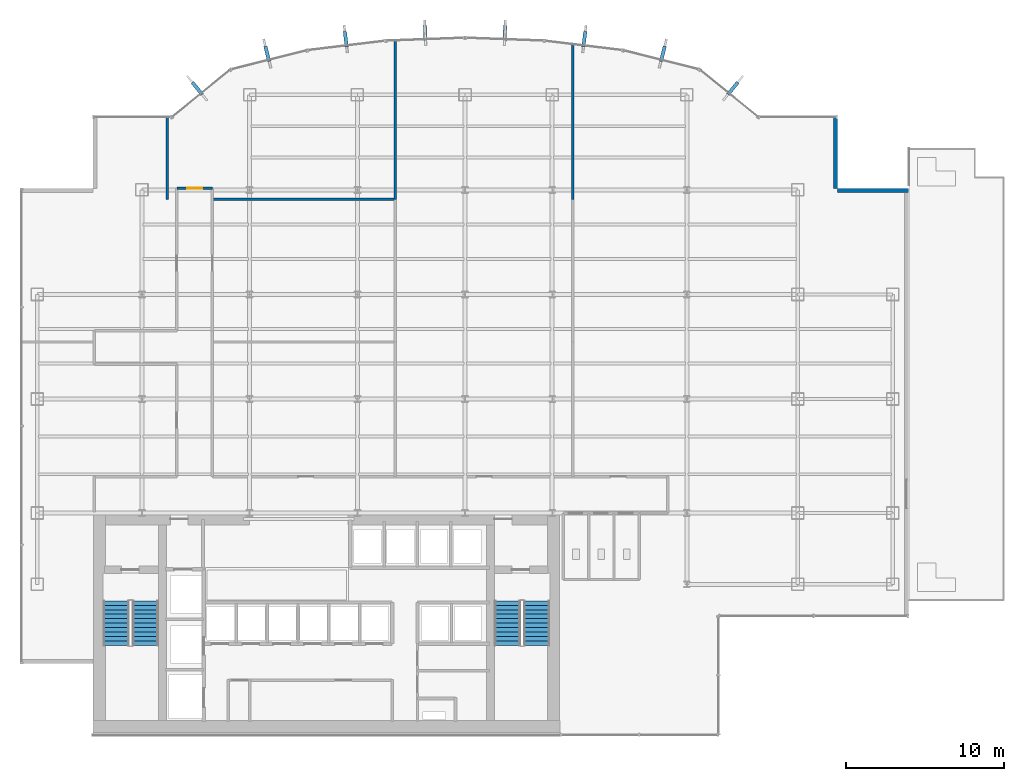
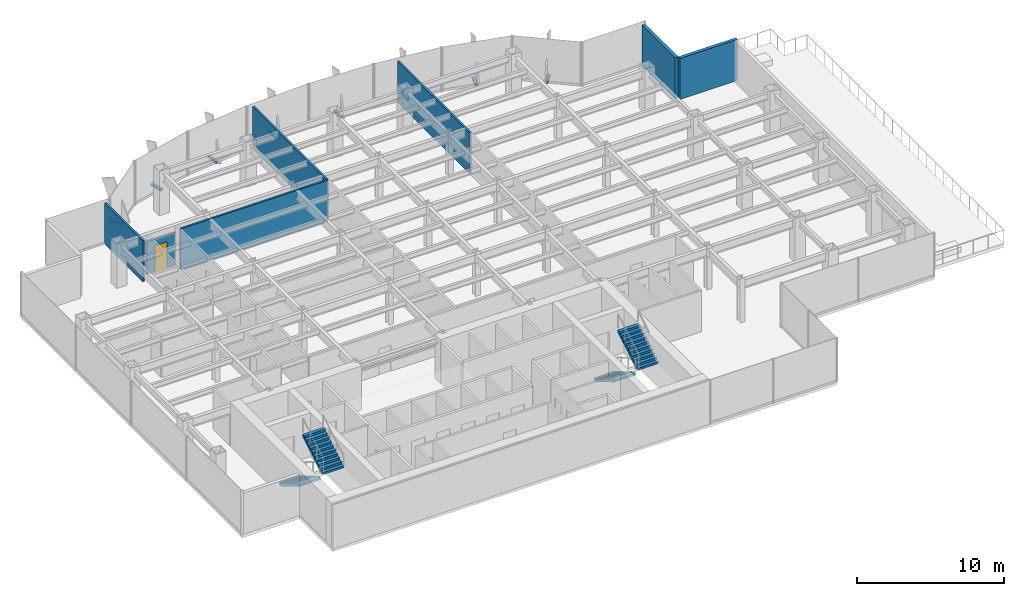
# One storey, part 22 of 25: 8 discrete accessories, 7 walls, 4 stair flights, 1 door, 1 opening, 2 elements without a shape of their own.
"""IFC4 building model written with IfcOpenShell, lengths in metres."""

from ifc_helpers import new_model, si_unit, derived_unit, direction, frame, frame_2d, origin, origin_2d, place, context, subcontext, project, spatial, polyline, rectangle, outline, extrude, source, transform, mapped, material, layer, layer_set, type_object, element, fill, aggregate, save


model = new_model("IFC4")

# Units and contexts
model_context = context("Model", 3, precision=1e-05, world=origin(), true_north=direction((0.0, 1.0)))
body_context = subcontext(model_context, "Body", "Model", "MODEL_VIEW")
ifc_project = project(units=[si_unit("LENGTHUNIT", "METRE"), si_unit("AREAUNIT", "SQUARE_METRE"), si_unit("VOLUMEUNIT", "CUBIC_METRE"), si_unit("PLANEANGLEUNIT", "RADIAN"), si_unit("MASSUNIT", "GRAM", prefix="KILO"), derived_unit("THERMALTRANSMITTANCEUNIT", [(si_unit("POWERUNIT", "WATT"), 1), (si_unit("LENGTHUNIT", "METRE"), -2), (si_unit("THERMODYNAMICTEMPERATUREUNIT", "KELVIN"), -1)])], contexts=[model_context])

# Site, building, storey
site_placement = place(None, origin())
site = spatial("IfcSite", under=ifc_project, at=site_placement, CompositionType="ELEMENT")
building_placement = place(site_placement, origin())
building = spatial("IfcBuilding", under=site, at=building_placement, Name="Skarnbrae Concourse Arena and Tower", CompositionType="ELEMENT")
storey_placement = place(building_placement, frame((0.0, 0.0, 88.64990234375)))
storey = spatial("IfcBuildingStorey", under=building, at=storey_placement, Name="L21", CompositionType="ELEMENT", Elevation=88.64990234375)

# Walls
ifc_material_1 = material(Name="Precast concrete 40 MPa (C40/50)", Category="concrete")
ifc_layer_1 = layer(ifc_material_1, 0.25)
ifc_layer_set_1 = layer_set([ifc_layer_1], Name="Precast concrete 40 MPa (C40/50)")
wall_type_1 = type_object("IfcWallType", Name="WALL-EXT-SPANDREL-250", PredefinedType="STANDARD", material=ifc_layer_set_1)
shared_shape_1 = source(origin(), body_context, "Body", "SweptSolid", [
    extrude(rectangle(XDim=4.5, YDim=0.25, at=frame_2d((2.25, 0.0))), origin(), (0.0, 0.0, 1.0), 3.400146484375),
])
for number, where, z_axis, x_axis, name in (
    (1, (56.0, 34.375, 0.0), (0.0, 0.0, 1.0), (-1.0, 0.0, 0.0), "L21 Notched corner insulated return wall 05"),
    (2, (51.375, 34.5, 0.0), (0.0, 0.0, 1.0), (0.0, 1.0, 0.0), "L21 Notched corner insulated return wall 06"),
):
    element("IfcWall", number, at=place(storey_placement, frame(where, z_axis=z_axis, x_axis=x_axis)), inside=storey, type_object=wall_type_1, Name=name, PredefinedType="STANDARD", context=body_context, shape_type="MappedRepresentation", body=[
        mapped(shared_shape_1, transform((0.0, 0.0, 0.0))),
    ])

# Wall, opening, door
ifc_material_2 = material(Name="Gypsum board on cold-formed steel studs", Category="steel")
ifc_layer_2 = layer(ifc_material_2, 0.14990234375)
ifc_layer_set_2 = layer_set([ifc_layer_2], Name="Gypsum board on cold-formed steel studs")
wall_type_2 = type_object("IfcWallType", Name="WALL-PART-150-1HR", PredefinedType="PARTITIONING", material=ifc_layer_set_2)
shared_shape_2 = source(origin(), body_context, "Body", "SweptSolid", [
    extrude(rectangle(XDim=2.25, YDim=0.14990234375, at=frame_2d((1.125, 0.0))), origin(), (0.0, 0.0, 1.0), 2.7021484375),
])
wall_1_placement = place(storey_placement, frame((9.800048828125, 34.5, 0.0), z_axis=(0.0, 0.0, 1.0), x_axis=(1.0, 0.0, 0.0)))
wall_1 = element("IfcWall", 3, at=wall_1_placement, inside=storey, type_object=wall_type_2, Name="L21 Interior partition wall W-L21-COR-08", PredefinedType="PARTITIONING", context=body_context, shape_type="MappedRepresentation", body=[
    mapped(shared_shape_2, transform((0.0, 0.0, 0.0))),
])
opening_placement = place(wall_1_placement, frame((0.64990234375, 0.0, 0.0)))
opening = element("IfcOpeningElement", 4, at=opening_placement, cuts=wall_1, Name="Opening DT-04", PredefinedType="OPENING", context=body_context, shape_type="SweptSolid", body=[
    extrude(rectangle(XDim=0.949951171875, YDim=2.14990234375, at=frame_2d((0.47509765625, 1.074951171875))), frame((0.0, 0.0849609375, 0.0), z_axis=(0.0, -1.0, 0.0), x_axis=(1.0, 0.0, 0.0)), (0.0, 0.0, 1.0), 0.169921875),
])
ifc_material_3 = material(Name="Steel CSA G40.21 350W", Category="steel")
door_type = type_object("IfcDoorType", Name="DOOR-INT-950-45M", OperationType="NOTDEFINED", PredefinedType="DOOR", material=ifc_material_3)
shared_shape_3 = source(origin(), body_context, "Body", "SweptSolid", [
    extrude(rectangle(XDim=0.949951171875, YDim=2.14990234375, at=frame_2d((0.47509765625, 1.074951171875))), frame((0.0, 0.02490234375, 0.0), z_axis=(0.0, -1.0, 0.0), x_axis=(1.0, 0.0, 0.0)), (0.0, 0.0, 1.0), 0.050048828125),
])
door_placement = place(opening_placement, origin())
door = element("IfcDoor", 5, at=door_placement, inside=storey, type_object=door_type, Name="D-0755 L21 Suite Door 03", OperationType="SINGLE_SWING_RIGHT", OverallHeight=2.14990234375, OverallWidth=0.949951171875, PredefinedType="DOOR", context=body_context, shape_type="MappedRepresentation", body=[
    mapped(shared_shape_3, transform((0.0, 0.0, 0.0))),
])
fill(opening, door)

# Walls
ifc_layer_3 = layer(ifc_material_2, 0.14990234375)
ifc_layer_set_3 = layer_set([ifc_layer_3], Name="Gypsum board on cold-formed steel studs")
wall_type_3 = type_object("IfcWallType", Name="WALL-PART-150", PredefinedType="PARTITIONING", material=ifc_layer_set_3)
shared_shape_4 = source(origin(), body_context, "Body", "SweptSolid", [
    extrude(rectangle(XDim=5.179931640625, YDim=0.14990234375, at=frame_2d((2.58984375, 0.0))), origin(), (0.0, 0.0, 1.0), 3.400146484375),
])
wall_2_placement = place(storey_placement, frame((9.199951171875, 38.97998046875, 0.0), z_axis=(0.0, 0.0, 1.0), x_axis=(0.0, -1.0, 0.0)))
element("IfcWall", 6, at=wall_2_placement, inside=storey, type_object=wall_type_3, Name="L21 Interior partition wall W-L21-DEM-16", PredefinedType="PARTITIONING", context=body_context, shape_type="MappedRepresentation", body=[
    mapped(shared_shape_4, transform((0.0, 0.0, 0.0))),
])
shared_shape_5 = source(origin(), body_context, "Body", "SweptSolid", [
    extrude(rectangle(XDim=11.550048828125, YDim=0.14990234375, at=frame_2d((5.77490234375, 0.0))), origin(), (0.0, 0.0, 1.0), 3.400146484375),
])
wall_3_placement = place(storey_placement, frame((23.60009765625, 33.800048828125, 0.0), z_axis=(0.0, 0.0, 1.0), x_axis=(-1.0, 0.0, 0.0)))
element("IfcWall", 7, at=wall_3_placement, inside=storey, type_object=wall_type_3, Name="L21 Interior partition wall W-L21-DEM-18", PredefinedType="PARTITIONING", context=body_context, shape_type="MappedRepresentation", body=[
    mapped(shared_shape_5, transform((0.0, 0.0, 0.0))),
])
shared_shape_6 = source(origin(), body_context, "Body", "SweptSolid", [
    extrude(rectangle(XDim=10.016357421875, YDim=0.14990234375, at=frame_2d((5.00830078125, 0.0))), origin(), (0.0, 0.0, 1.0), 3.400146484375),
])
wall_4_placement = place(storey_placement, frame((23.60009765625, 43.81640625, 0.0), z_axis=(0.0, 0.0, 1.0), x_axis=(0.0, -1.0, 0.0)))
element("IfcWall", 8, at=wall_4_placement, inside=storey, type_object=wall_type_3, Name="L21 Interior partition wall W-L21-DEM-21", PredefinedType="PARTITIONING", context=body_context, shape_type="MappedRepresentation", body=[
    mapped(shared_shape_6, transform((0.0, 0.0, 0.0))),
])
shared_shape_7 = source(origin(), body_context, "Body", "SweptSolid", [
    extrude(rectangle(XDim=9.775634765625, YDim=0.14990234375, at=frame_2d((4.8876953125, 0.0))), origin(), (0.0, 0.0, 1.0), 3.400146484375),
])
wall_5_placement = place(storey_placement, frame((34.800048828125, 43.57568359375, 0.0), z_axis=(0.0, 0.0, 1.0), x_axis=(0.0, -1.0, 0.0)))
element("IfcWall", 9, at=wall_5_placement, inside=storey, type_object=wall_type_3, Name="L21 Interior partition wall W-L21-DEM-22", PredefinedType="PARTITIONING", context=body_context, shape_type="MappedRepresentation", body=[
    mapped(shared_shape_7, transform((0.0, 0.0, 0.0))),
])

# Stair, stair flights
ifc_material_4 = material(Name="Concrete 40 MPa (C40/50)", Category="concrete")
stair_type = type_object("IfcStairType", Name="STAIR-DOGLEG-1650", PredefinedType="HALF_TURN_STAIR", material=ifc_material_4)
stair_1_placement = place(storey_placement, origin())
stair_1 = element("IfcStair", 10, at=stair_1_placement, inside=storey, type_object=stair_type, Name="L21 Protected Exit Stair ST-1", PredefinedType="HALF_TURN_STAIR")
stair_flight_type = type_object("IfcStairFlightType", Name="FLIGHT-STRAIGHT-1650", PredefinedType="STRAIGHT", material=ifc_material_4)
shared_shape_8 = source(origin(), body_context, "Body", "SweptSolid", [
    extrude(outline(polyline([(0.0, 0.0), (0.0, 0.166015625), (0.280029296875, 0.166015625), (0.280029296875, 0.331787109375), (0.56005859375, 0.331787109375), (0.56005859375, 0.497802734375), (0.840087890625, 0.497802734375), (0.840087890625, 0.66357421875), (1.1201171875, 0.66357421875), (1.1201171875, 0.82958984375), (1.39990234375, 0.82958984375), (1.39990234375, 0.995361328125), (1.679931640625, 0.995361328125), (1.679931640625, 1.161376953125), (1.9599609375, 1.161376953125), (1.9599609375, 1.327392578125), (2.239990234375, 1.327392578125), (2.239990234375, 1.4931640625), (2.52001953125, 1.4931640625), (2.52001953125, 1.6591796875), (2.800048828125, 1.6591796875), (2.800048828125, 1.824951171875), (2.800048828125, 1.48486328125), (0.2939453125, 0.0), (0.0, 0.0)])), frame((0.0, 0.824951171875, 0.0), z_axis=(0.0, -1.0, 0.0), x_axis=(1.0, 0.0, 0.0)), (0.0, 0.0, 1.0), 1.64990234375),
])
stair_flight_1_placement = place(storey_placement, frame((5.97509765625, 8.449951171875, 0.0), z_axis=(0.0, 0.0, 1.0), x_axis=(0.0, -1.0, 0.0)))
stair_flight_1 = element("IfcStairFlight", 11, at=stair_flight_1_placement, type_object=stair_flight_type, Name="ST-1 flight 1", NumberOfRisers=11, NumberOfTreads=10, PredefinedType="STRAIGHT", RiserHeight=0.165909091, TreadLength=0.28, context=body_context, shape_type="MappedRepresentation", body=[
    mapped(shared_shape_8, transform((0.0, 0.0, 0.0))),
])
stair_flight_2_placement = place(storey_placement, frame((7.824951171875, 5.64990234375, 1.8251953125), z_axis=(0.0, 0.0, 1.0), x_axis=(0.0, 1.0, 0.0)))
stair_flight_2 = element("IfcStairFlight", 12, at=stair_flight_2_placement, type_object=stair_flight_type, Name="ST-1 flight 2", NumberOfRisers=11, NumberOfTreads=10, PredefinedType="STRAIGHT", RiserHeight=0.165909091, TreadLength=0.28, context=body_context, shape_type="MappedRepresentation", body=[
    mapped(shared_shape_8, transform((0.0, 0.0, 0.0))),
])
aggregate(stair_1, [stair_flight_1, stair_flight_2])

stair_2_placement = place(storey_placement, origin())
stair_2 = element("IfcStair", 13, at=stair_2_placement, inside=storey, type_object=stair_type, Name="L21 Protected Exit Stair ST-2", PredefinedType="HALF_TURN_STAIR")
stair_flight_3_placement = place(storey_placement, frame((30.675048828125, 8.449951171875, 0.0), z_axis=(0.0, 0.0, 1.0), x_axis=(0.0, -1.0, 0.0)))
stair_flight_3 = element("IfcStairFlight", 14, at=stair_flight_3_placement, type_object=stair_flight_type, Name="ST-2 flight 1", NumberOfRisers=11, NumberOfTreads=10, PredefinedType="STRAIGHT", RiserHeight=0.165909091, TreadLength=0.28, context=body_context, shape_type="MappedRepresentation", body=[
    mapped(shared_shape_8, transform((0.0, 0.0, 0.0))),
])
stair_flight_4_placement = place(storey_placement, frame((32.52490234375, 5.64990234375, 1.8251953125), z_axis=(0.0, 0.0, 1.0), x_axis=(0.0, 1.0, 0.0)))
stair_flight_4 = element("IfcStairFlight", 15, at=stair_flight_4_placement, type_object=stair_flight_type, Name="ST-2 flight 2", NumberOfRisers=11, NumberOfTreads=10, PredefinedType="STRAIGHT", RiserHeight=0.165909091, TreadLength=0.28, context=body_context, shape_type="MappedRepresentation", body=[
    mapped(shared_shape_8, transform((0.0, 0.0, 0.0))),
])
aggregate(stair_2, [stair_flight_3, stair_flight_4])

# Discrete accessories
ifc_material_5 = material(Name="Bronze anodised aluminium 6063-T6", Category="aluminium")
discrete_accessory_type = type_object("IfcDiscreteAccessoryType", Name="ACC-FIN-BRACKET", PredefinedType="BRACKET", material=ifc_material_5)
shared_shape_9 = source(origin(), body_context, "Body", "SweptSolid", [
    extrude(rectangle(XDim=0.219970703125, YDim=0.97998046875, at=origin_2d()), origin(), (0.0, 0.0, 1.0), 0.179931640625),
])
for number, where, z_axis, x_axis, name in (
    (16, (44.90771484375, 40.80859375, -0.02978515625), (0.0, 0.0, 1.0), (0.776244501415, -0.630431974144, 0.0), "L21 Bronze fin foot support bracket 08"),
    (17, (40.485107421875, 42.992431640625, -0.02978515625), (0.0, 0.0, 1.0), (0.969901771235, -0.243496517748, 0.0), "L21 Bronze fin foot support bracket 09"),
    (18, (35.529541015625, 43.910400390625, -0.02978515625), (0.0, 0.0, 1.0), (0.992748952377, -0.120206146079, 0.0), "L21 Bronze fin foot support bracket 10"),
    (19, (30.514404296875, 44.306640625, -0.02978515625), (0.0, 0.0, 1.0), (0.999308421355, -0.037184392011, 0.0), "L21 Bronze fin foot support bracket 11"),
    (20, (25.485595703125, 44.306640625, -0.02978515625), (0.0, 0.0, 1.0), (0.999308421355, 0.037184392011, 0.0), "L21 Bronze fin foot support bracket 12"),
    (21, (20.470458984375, 43.910400390625, -0.02978515625), (0.0, 0.0, 1.0), (0.992748952377, 0.120206146079, 0.0), "L21 Bronze fin foot support bracket 13"),
    (22, (15.514892578125, 42.992431640625, -0.02978515625), (0.0, 0.0, 1.0), (0.969901771235, 0.243496517748, 0.0), "L21 Bronze fin foot support bracket 14"),
    (23, (11.09228515625, 40.80859375, -0.02978515625), (0.0, 0.0, 1.0), (0.776244501415, 0.630431974144, 0.0), "L21 Bronze fin foot support bracket 15"),
):
    element("IfcDiscreteAccessory", number, at=place(storey_placement, frame(where, z_axis=z_axis, x_axis=x_axis)), inside=storey, type_object=discrete_accessory_type, Name=name, PredefinedType="BRACKET", context=body_context, shape_type="MappedRepresentation", body=[
        mapped(shared_shape_9, transform((0.0, 0.0, 0.0))),
    ])

save(model, "model.ifc")
